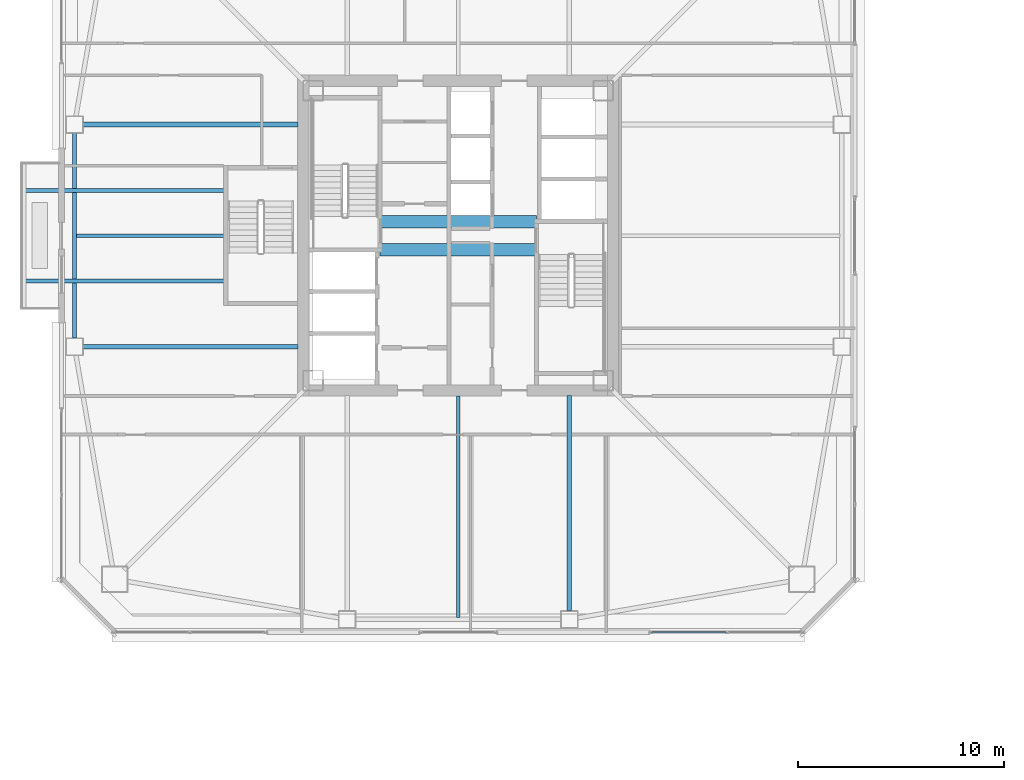
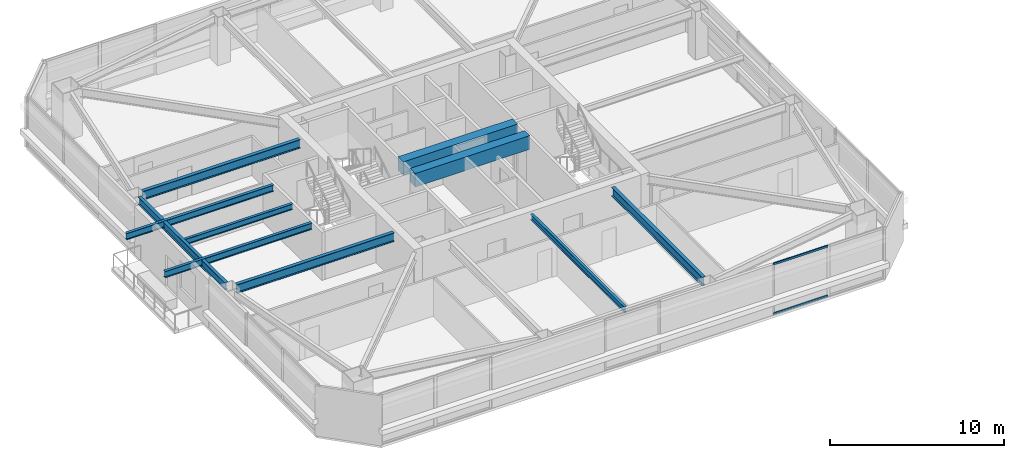
# One storey, part 7 of 44: 10 beams, 2 members, 1 element without a shape of its own.
"""IFC4 building model written with IfcOpenShell, lengths in metres."""

import ifcopenshell
import ifcopenshell.guid

model = None  # the IFC model being written
_history = None  # IfcOwnerHistory: only IFC2X3 demands one
_inside = {}  # id of a spatial element -> (the spatial element, [elements in it])
_under = {}  # id of a project, library or spatial element -> (it, [spatial elements below it])
_declared = {}  # id of a project -> (the project, [libraries it declares])
_typed = {}  # id of a type object -> (the type object, [elements of that type])
_made_of = {}  # id of a material, layer set ... -> (it, [elements and type objects made of it])


def new_model(schema):
    """Start an empty IFC model of exactly this schema.

    Asked for "IFC4X3", IfcOpenShell would pick the latest addendum, in which some entities
    have other attributes; the version numbers below select the first issue.
    IFC2X3 requires an IfcOwnerHistory on every rooted entity: one is made here for all.
    """
    global model, _history
    if schema == "IFC4X3":
        model = ifcopenshell.file(schema_version=(4, 3, 0, 0))
    else:
        model = ifcopenshell.file(schema=schema)
    _inside.clear()
    _under.clear()
    _declared.clear()
    _typed.clear()
    _made_of.clear()
    _history = None
    if model.schema == "IFC2X3":
        org = make("IfcOrganization", Name="unknown")
        user = make(
            "IfcPersonAndOrganization",
            ThePerson=make("IfcPerson", FamilyName="unknown"),
            TheOrganization=org,
        )
        app = make(
            "IfcApplication",
            ApplicationDeveloper=org,
            Version="unknown",
            ApplicationFullName="unknown",
            ApplicationIdentifier="unknown",
        )
        _history = make(
            "IfcOwnerHistory",
            OwningUser=user,
            OwningApplication=app,
            ChangeAction="ADDED",
            CreationDate=0,
        )
    return model


def make(cls, **values):
    """One entity of the class cls with the attributes given. An attribute that is None is left unset."""
    return model.create_entity(
        cls, **{name: value for name, value in values.items() if value is not None}
    )


def rooted(cls, **values):
    """An entity with a GlobalId (a new one), such as an element, a storey or a relation."""
    return make(cls, GlobalId=ifcopenshell.guid.new(), OwnerHistory=_history, **values)


def si_unit(unit_type, name, prefix=None):
    """IfcSIUnit, for example si_unit("LENGTHUNIT", "METRE", prefix="MILLI")."""
    return make("IfcSIUnit", UnitType=unit_type, Prefix=prefix, Name=name)


def assignment(units):
    """IfcUnitAssignment: the units of a project."""
    return None if units is None else make("IfcUnitAssignment", Units=units)


def point(xyz):
    """IfcCartesianPoint."""
    return None if xyz is None else make("IfcCartesianPoint", Coordinates=xyz)


def direction(xyz):
    """IfcDirection."""
    return None if xyz is None else make("IfcDirection", DirectionRatios=xyz)


def frame(location, z_axis=None, x_axis=None):
    """IfcAxis2Placement3D, a coordinate frame: its origin and axes. An axis left out is left unset."""
    return make(
        "IfcAxis2Placement3D",
        Location=point(location),
        Axis=direction(z_axis),
        RefDirection=direction(x_axis),
    )


def frame_2d(location, x_axis=None):
    """IfcAxis2Placement2D, a coordinate frame in the plane: its origin and x axis."""
    return make(
        "IfcAxis2Placement2D", Location=point(location), RefDirection=direction(x_axis)
    )


def origin():
    """The frame at (0, 0, 0) with its axes left unset."""
    return frame((0.0, 0.0, 0.0))


def origin_2d():
    """The frame at (0, 0) in the plane with its x axis left unset."""
    return frame_2d((0.0, 0.0))


def place(relative_to, where):
    """IfcLocalPlacement: puts the frame where relative to a parent placement (None: the world)."""
    return make(
        "IfcLocalPlacement", PlacementRelTo=relative_to, RelativePlacement=where
    )


def context(
    kind, dimensions, precision=None, world=None, true_north=None, identifier=None
):
    """IfcGeometricRepresentationContext, for example the 3D "Model" context."""
    return make(
        "IfcGeometricRepresentationContext",
        ContextIdentifier=identifier,
        ContextType=kind,
        CoordinateSpaceDimension=dimensions,
        Precision=precision,
        WorldCoordinateSystem=world,
        TrueNorth=true_north,
    )


def subcontext(parent, identifier, kind, view, scale=None):
    """IfcGeometricRepresentationSubContext, for example "Body" below "Model"."""
    return make(
        "IfcGeometricRepresentationSubContext",
        ContextIdentifier=identifier,
        ContextType=kind,
        ParentContext=parent,
        TargetScale=scale,
        TargetView=view,
    )


def project(units=None, contexts=None):
    """IfcProject with its units and contexts."""
    return rooted(
        "IfcProject",
        Name="project",
        RepresentationContexts=contexts,
        UnitsInContext=assignment(units),
    )


def spatial(cls, under=None, at=None, **own):
    """A site, building, storey or space (cls), placed at a placement, below another one or the project."""
    s = rooted(cls, ObjectPlacement=at, **own)
    if under is not None:
        _under.setdefault(under.id(), (under, []))[1].append(s)
    return s


def profile(cls, at=None, kind="AREA", **sizes):
    """A parametric profile (cls). Its sizes go by their IFC names, for example OverallWidth=200.0."""
    return make(cls, ProfileType=kind, Position=at, **sizes)


def rectangle(**sizes):
    """IfcRectangleProfileDef."""
    return profile("IfcRectangleProfileDef", **sizes)


def hollow_rectangle(**sizes):
    """IfcRectangleHollowProfileDef."""
    return profile("IfcRectangleHollowProfileDef", **sizes)


def i_section(**sizes):
    """IfcIShapeProfileDef."""
    return profile("IfcIShapeProfileDef", **sizes)


def extrude(swept, where, along, depth):
    """IfcExtrudedAreaSolid: the profile swept, set in the frame where, extruded along a direction by depth."""
    return make(
        "IfcExtrudedAreaSolid",
        SweptArea=swept,
        Position=where,
        ExtrudedDirection=direction(along),
        Depth=depth,
    )


def shape(context_of_items, identifier, shape_type, items):
    """IfcShapeRepresentation: the items that make up one representation, for example the "Body"."""
    return make(
        "IfcShapeRepresentation",
        ContextOfItems=context_of_items,
        RepresentationIdentifier=identifier,
        RepresentationType=shape_type,
        Items=items,
    )


def material(Name=None, Category=None):
    """IfcMaterial."""
    return make("IfcMaterial", Name=Name, Category=Category)


def material_profile(
    of_material, cross_section, Name=None, Category=None, Priority=None
):
    """IfcMaterialProfile: a cross section and its material."""
    return make(
        "IfcMaterialProfile",
        Name=Name,
        Material=of_material,
        Profile=cross_section,
        Priority=Priority,
        Category=Category,
    )


def profile_set(profiles, Name=None, composite=None):
    """IfcMaterialProfileSet."""
    return make(
        "IfcMaterialProfileSet",
        Name=Name,
        MaterialProfiles=profiles,
        CompositeProfile=composite,
    )


def made_of(thing, what):
    """Note that an element or type object is made of a material, layer set ...; save() writes the relation."""
    if what is not None:
        _made_of.setdefault(what.id(), (what, []))[1].append(thing)
    return thing


def type_object(cls, material=None, **own):
    """A type object (cls), such as IfcWallType, which elements share."""
    return made_of(rooted(cls, **own), material)


def element(
    cls,
    number,
    at=None,
    inside=None,
    cuts=None,
    type_object=None,
    material=None,
    context=None,
    identifier="Body",
    shape_type=None,
    held_by="IfcProductDefinitionShape",
    body=None,
    shapes=None,
    **own,
):
    """One element of the class cls, such as IfcWall. Its Tag is "e" and its number.

    at: its placement. inside: the storey or other place that contains it. cuts: it is an
    opening in that element (IfcRelVoidsElement). A single representation is given by context,
    identifier, shape_type and body (its items); several are given by shapes. held_by: the class
    of the entity that holds the representations. save() writes the other relations.
    """
    e = rooted(cls, Tag="e%d" % number, ObjectPlacement=at, **own)
    if body is not None:
        shapes = [shape(context, identifier, shape_type, body)]
    if shapes is not None:
        e.Representation = make(held_by, Representations=shapes)
    if inside is not None:
        _inside.setdefault(inside.id(), (inside, []))[1].append(e)
    if cuts is not None:
        rooted(
            "IfcRelVoidsElement", RelatingBuildingElement=cuts, RelatedOpeningElement=e
        )
    if type_object is not None:
        _typed.setdefault(type_object.id(), (type_object, []))[1].append(e)
    return made_of(e, material)


def aggregate(whole, parts):
    """IfcRelAggregates: a whole, such as a stair, and the parts it consists of."""
    return rooted("IfcRelAggregates", RelatingObject=whole, RelatedObjects=parts)


def save(model, path):
    """Write the relations noted so far, then the file.

    IfcRelAggregates (storeys below a building ...), IfcRelContainedInSpatialStructure (elements
    in a storey), IfcRelDefinesByType, IfcRelAssociatesMaterial and IfcRelDeclares: one each for
    every whole, place, type object, material and project.
    """
    for whole, parts in _under.values():
        aggregate(whole, parts)
    for where, things in _inside.values():
        rooted(
            "IfcRelContainedInSpatialStructure",
            RelatedElements=things,
            RelatingStructure=where,
        )
    for kind, things in _typed.values():
        rooted("IfcRelDefinesByType", RelatedObjects=things, RelatingType=kind)
    for what, things in _made_of.values():
        rooted("IfcRelAssociatesMaterial", RelatedObjects=things, RelatingMaterial=what)
    for by, libraries in _declared.values():
        rooted("IfcRelDeclares", RelatingContext=by, RelatedDefinitions=libraries)
    model.write(path)


model = new_model("IFC4")

# Units and contexts
model_context = context("Model", 3, precision=1e-05, world=origin(), true_north=direction((0.0, 1.0)))
body_context = subcontext(model_context, "Body", "Model", "MODEL_VIEW")
ifc_project = project(units=[si_unit("LENGTHUNIT", "METRE"), si_unit("AREAUNIT", "SQUARE_METRE"), si_unit("VOLUMEUNIT", "CUBIC_METRE"), si_unit("PLANEANGLEUNIT", "RADIAN"), si_unit("MASSUNIT", "GRAM", prefix="KILO")], contexts=[model_context])

# Site, building, storey
site_placement = place(None, origin())
site = spatial("IfcSite", under=ifc_project, at=site_placement, CompositionType="ELEMENT")
building_placement = place(site_placement, origin())
building = spatial("IfcBuilding", under=site, at=building_placement, Name="Tashvorn Skyway Center", CompositionType="ELEMENT")
storey_placement = place(building_placement, frame((0.0, 0.0, 128.60009765625)))
storey = spatial("IfcBuildingStorey", under=building, at=storey_placement, Name="L34", CompositionType="ELEMENT", Elevation=128.60009765625)

# Beams
ifc_material_1 = material(Name="Steel ASTM A992 Grade 50", Category="steel")
ifc_material_profile_1 = material_profile(ifc_material_1, i_section(OverallWidth=0.22998046875, OverallDepth=0.616943359375, WebThickness=0.01318359375, FlangeThickness=0.022216796875, at=origin_2d()), Name="W24X94")
ifc_profile_set_1 = profile_set([ifc_material_profile_1], Name="Steel ASTM A992 Grade 50")
beam_type_1 = type_object("IfcBeamType", Name="BM-BEAM-W24X94", PredefinedType="BEAM", material=ifc_profile_set_1)
for number, where, z_axis, x_axis, name in (
    (1, (47.39990234375, 13.77001953125, 3.0615234375), (0.0, 1.0, 0.0), (-1.0, 0.0, 0.0), "Tower 1 L34 Primary Floor Girder FC-S2"),
    (2, (23.77001953125, 37.39990234375, 3.0615234375), (1.0, 0.0, 0.0), (0.0, 1.0, 0.0), "Tower 1 L34 Primary Floor Girder FC-W1"),
    (3, (23.77001953125, 26.60009765625, 3.0615234375), (1.0, 0.0, 0.0), (0.0, 1.0, 0.0), "Tower 1 L34 Primary Floor Girder FC-W2"),
):
    element("IfcBeam", number, at=place(storey_placement, frame(where, z_axis=z_axis, x_axis=x_axis)), inside=storey, type_object=beam_type_1, Name=name, PredefinedType="BEAM", context=body_context, shape_type="SweptSolid", body=[
        extrude(i_section(OverallWidth=0.22998046875, OverallDepth=0.616943359375, WebThickness=0.01318359375, FlangeThickness=0.022216796875, at=origin_2d()), origin(), (0.0, 0.0, 1.0), 10.449951171875),
    ])
ifc_material_profile_2 = material_profile(ifc_material_1, i_section(OverallWidth=0.177978515625, OverallDepth=0.406005859375, WebThickness=0.0078125, FlangeThickness=0.0126953125, at=origin_2d()), Name="W16X40")
ifc_profile_set_2 = profile_set([ifc_material_profile_2], Name="Steel ASTM A992 Grade 50")
beam_type_2 = type_object("IfcBeamType", Name="BM-JOIST-W16X40", PredefinedType="JOIST", material=ifc_profile_set_2)
beam_1_placement = place(storey_placement, frame((42.0, 24.2099609375, 3.1669921875), z_axis=(0.0, -1.0, 0.0), x_axis=(1.0, 0.0, 0.0)))
element("IfcBeam", 4, at=beam_1_placement, inside=storey, type_object=beam_type_2, Name="Tower 1 L34 Secondary Composite Joist JS", PredefinedType="JOIST", context=body_context, shape_type="SweptSolid", body=[
    extrude(i_section(OverallWidth=0.177978515625, OverallDepth=0.406005859375, WebThickness=0.0078125, FlangeThickness=0.0126953125, at=origin_2d()), origin(), (0.0, 0.0, 1.0), 10.762451171875),
])
beam_2_placement = place(storey_placement, frame((30.610107421875, 32.0, 3.1669921875), z_axis=(-1.0, 0.0, 0.0), x_axis=(0.0, -1.0, 0.0)))
element("IfcBeam", 5, at=beam_2_placement, inside=storey, type_object=beam_type_2, Name="Tower 1 L34 Secondary Composite Joist JW", PredefinedType="JOIST", context=body_context, shape_type="SweptSolid", body=[
    extrude(i_section(OverallWidth=0.177978515625, OverallDepth=0.406005859375, WebThickness=0.0078125, FlangeThickness=0.0126953125, at=origin_2d()), origin(), (0.0, 0.0, 1.0), 7.16259765625),
])
ifc_material_profile_3 = material_profile(ifc_material_1, i_section(OverallWidth=0.19091796875, OverallDepth=0.4599609375, WebThickness=0.010009765625, FlangeThickness=0.01611328125, at=origin_2d()), Name="W18X55")
ifc_profile_set_3 = profile_set([ifc_material_profile_3], Name="Steel ASTM A992 Grade 50")
beam_type_3 = type_object("IfcBeamType", Name="BM-JOIST-W18X55", PredefinedType="JOIST", material=ifc_profile_set_3)
for number, where, z_axis, x_axis, name in (
    (6, (30.610107421875, 29.800048828125, 3.139892578125), (-1.0, 0.0, 0.0), (0.0, -1.0, 0.0), "Tower 1 L35 Terrace Cantilever Outlooker 1"),
    (7, (30.610107421875, 34.199951171875, 3.139892578125), (-1.0, 0.0, 0.0), (0.0, -1.0, 0.0), "Tower 1 L35 Terrace Cantilever Outlooker 2"),
):
    element("IfcBeam", number, at=place(storey_placement, frame(where, z_axis=z_axis, x_axis=x_axis)), inside=storey, type_object=beam_type_3, Name=name, PredefinedType="JOIST", context=body_context, shape_type="SweptSolid", body=[
        extrude(i_section(OverallWidth=0.19091796875, OverallDepth=0.4599609375, WebThickness=0.010009765625, FlangeThickness=0.01611328125, at=origin_2d()), origin(), (0.0, 0.0, 1.0), 9.760009765625),
    ])
ifc_material_2 = material(Name="Concrete C60/75", Category="concrete")
ifc_material_profile_4 = material_profile(ifc_material_2, rectangle(XDim=0.60009765625, YDim=0.949951171875, at=origin_2d()), Name="RCB600x950")
ifc_profile_set_4 = profile_set([ifc_material_profile_4], Name="Concrete C60/75")
beam_type_4 = type_object("IfcBeamType", Name="BM-LINTEL-RCB600x950", PredefinedType="LINTEL", material=ifc_profile_set_4)
for number, where, z_axis, x_axis, name in (
    (8, (38.199951171875, 32.679931640625, 2.89501953125), (1.0, 0.0, 0.0), (0.0, 1.0, 0.0), "Tower 1 L34 Core Coupling Beam CN"),
    (9, (38.199951171875, 31.320068359375, 2.89501953125), (1.0, 0.0, 0.0), (0.0, 1.0, 0.0), "Tower 1 L34 Core Coupling Beam CS"),
):
    element("IfcBeam", number, at=place(storey_placement, frame(where, z_axis=z_axis, x_axis=x_axis)), inside=storey, type_object=beam_type_4, Name=name, PredefinedType="LINTEL", context=body_context, shape_type="SweptSolid", body=[
        extrude(rectangle(XDim=0.60009765625, YDim=0.949951171875, at=origin_2d()), origin(), (0.0, 0.0, 1.0), 7.60009765625),
    ])
ifc_material_profile_5 = material_profile(ifc_material_1, i_section(OverallWidth=0.2109375, OverallDepth=0.5390625, WebThickness=0.01171875, FlangeThickness=0.018798828125, at=origin_2d()), Name="W21X73")
ifc_profile_set_5 = profile_set([ifc_material_profile_5], Name="Steel ASTM A992 Grade 50")
beam_type_5 = type_object("IfcBeamType", Name="BM-SPANDREL-W21X73", PredefinedType="SPANDREL", material=ifc_profile_set_5)
beam_3_placement = place(storey_placement, frame((23.35009765625, 36.97998046875, 3.100341796875), z_axis=(0.0, -1.0, 0.0), x_axis=(1.0, 0.0, 0.0)))
element("IfcBeam", 10, at=beam_3_placement, inside=storey, type_object=beam_type_5, Name="Tower 1 L34 Spandrel Beam 11", PredefinedType="SPANDREL", context=body_context, shape_type="SweptSolid", body=[
    extrude(i_section(OverallWidth=0.2109375, OverallDepth=0.5390625, WebThickness=0.01171875, FlangeThickness=0.018798828125, at=origin_2d()), origin(), (0.0, 0.0, 1.0), 9.9599609375),
])

# Curtain wall, members
ifc_material_3 = material(Name="Thermally broken bronze-anodized aluminium 6063-T6", Category="aluminium")
curtain_wall_type = type_object("IfcCurtainWallType", Name="CW-CW-Z3", PredefinedType="NOTDEFINED", material=ifc_material_3)
curtain_wall_placement = place(storey_placement, origin())
curtain_wall = element("IfcCurtainWall", 11, at=curtain_wall_placement, inside=storey, type_object=curtain_wall_type, Name="Tower 1 L34 South Unitised Curtain Wall Glazing Group 1", PredefinedType="NOTDEFINED")
ifc_material_profile_6 = material_profile(ifc_material_3, hollow_rectangle(XDim=0.074951171875, YDim=0.139892578125, WallThickness=0.004150390625, at=origin_2d()), Name="ALU-TRAN-75x140")
ifc_profile_set_6 = profile_set([ifc_material_profile_6], Name="Thermally broken bronze-anodized aluminium 6063-T6")
member_type = type_object("IfcMemberType", Name="CWT-CW-Z3", PredefinedType="USERDEFINED", material=ifc_profile_set_6)
member_1_placement = place(storey_placement, frame((55.013671875, 12.719970703125, 0.037353515625), z_axis=(-1.0, 0.0, 0.0), x_axis=(0.0, -1.0, 0.0)))
member_1 = element("IfcMember", 12, at=member_1_placement, type_object=member_type, Name="CW-Z3 transom 2.1", ObjectType="TRANSOM", PredefinedType="USERDEFINED", context=body_context, shape_type="SweptSolid", body=[
    extrude(hollow_rectangle(XDim=0.074951171875, YDim=0.139892578125, WallThickness=0.004150390625, at=origin_2d()), origin(), (0.0, 0.0, 1.0), 3.616455078125),
])
member_2_placement = place(storey_placement, frame((55.013671875, 12.719970703125, 3.512451171875), z_axis=(-1.0, 0.0, 0.0), x_axis=(0.0, -1.0, 0.0)))
member_2 = element("IfcMember", 13, at=member_2_placement, type_object=member_type, Name="CW-Z3 transom 2.2", ObjectType="TRANSOM", PredefinedType="USERDEFINED", context=body_context, shape_type="SweptSolid", body=[
    extrude(hollow_rectangle(XDim=0.074951171875, YDim=0.139892578125, WallThickness=0.004150390625, at=origin_2d()), origin(), (0.0, 0.0, 1.0), 3.616455078125),
])
aggregate(curtain_wall, [member_1, member_2])

save(model, "model.ifc")
